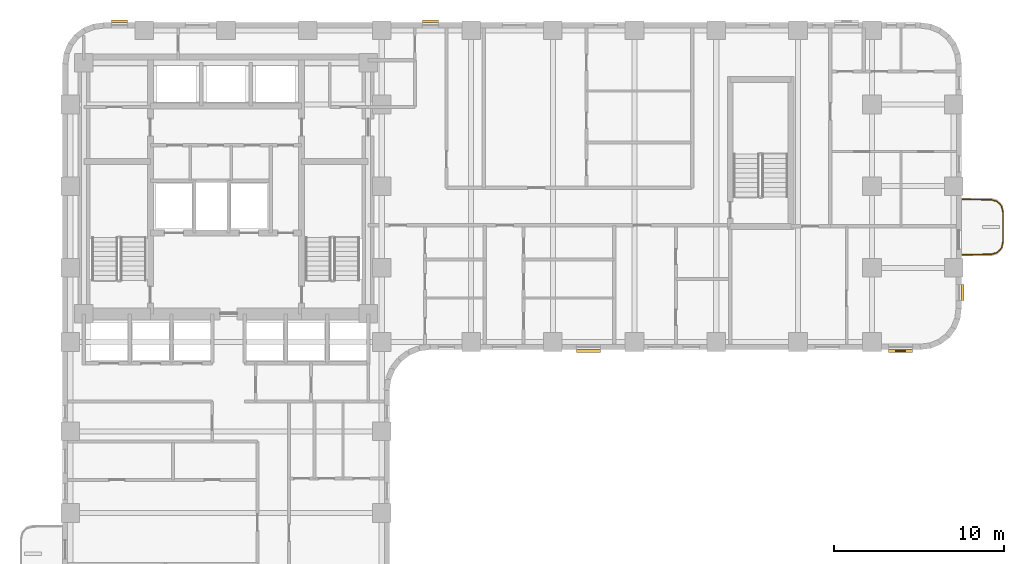
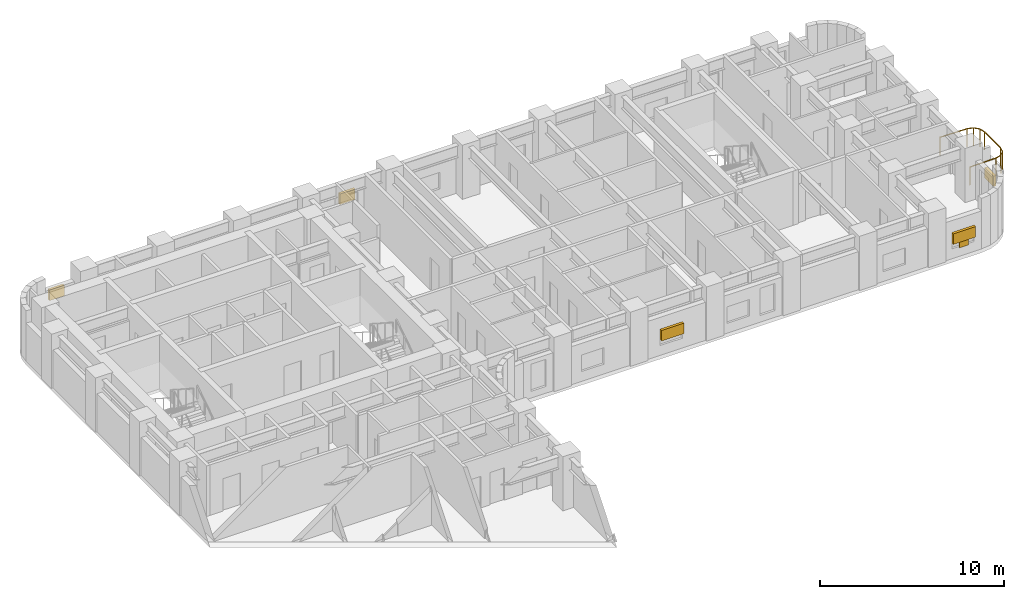
# One storey, part 10 of 11: 6 shading devices, 1 railing.
"""IFC4 building model written with IfcOpenShell, lengths in metres."""

from ifc_helpers import new_model, si_unit, direction, frame, origin, origin_2d, place, context, subcontext, project, spatial, rectangle, extrude, material, type_object, element, save


model = new_model("IFC4")

# Units and contexts
model_context = context("Model", 3, precision=1e-05, world=origin(), true_north=direction((0.0, 1.0)))
body_context = subcontext(model_context, "Body", "Model", "MODEL_VIEW")
ifc_project = project(units=[si_unit("LENGTHUNIT", "METRE"), si_unit("AREAUNIT", "SQUARE_METRE"), si_unit("VOLUMEUNIT", "CUBIC_METRE"), si_unit("PLANEANGLEUNIT", "RADIAN"), si_unit("MASSUNIT", "GRAM", prefix="KILO")], contexts=[model_context])

# Site, building, storey
site_placement = place(None, origin())
site = spatial("IfcSite", under=ifc_project, at=site_placement, CompositionType="ELEMENT")
building_placement = place(site_placement, origin())
building = spatial("IfcBuilding", under=site, at=building_placement, Name="Orvandelia Arch Residences", CompositionType="ELEMENT")
storey_placement = place(building_placement, frame((0.0, 0.0, 50.199951171875)))
storey = spatial("IfcBuildingStorey", under=building, at=storey_placement, Name="L12", CompositionType="ELEMENT", Elevation=50.199951171875)

# Railing
ifc_material_1 = material(Name="Marine-Grade Stainless Steel 316", Category="steel")
railing_type = type_object("IfcRailingType", Name="GRD-BAL-1200", PredefinedType="BALUSTRADE", material=ifc_material_1)
railing_placement = place(storey_placement, frame((57.671875, 34.36962890625, 0.0)))
element("IfcRailing", 1, at=railing_placement, inside=storey, type_object=railing_type, Name="Safety Balustrade Guard GRD-L12-BAL-L12-E1-1", PredefinedType="BALUSTRADE", context=body_context, shape_type="SweptSolid", body=[
    extrude(rectangle(XDim=0.048095703125, YDim=0.048095703125, at=origin_2d()), frame((0.0, 0.0, 1.19580078125), z_axis=(0.999837384468, 0.018033430643, 0.0), x_axis=(-0.018033430643, 0.999837384468, 0.0)), (0.0, 0.0, 1.0), 1.6787109375),
    extrude(rectangle(XDim=0.048095703125, YDim=0.048095703125, at=origin_2d()), frame((1.678466796875, 0.0302734375, 1.19580078125), z_axis=(0.963441293861, 0.267919527627, 0.0), x_axis=(-0.267919527627, 0.963441293861, 0.0)), (0.0, 0.0, 1.0), 0.365478515625),
    extrude(rectangle(XDim=0.048095703125, YDim=0.048095703125, at=origin_2d()), frame((2.030517578125, 0.128173828125, 1.19580078125), z_axis=(0.688296224633, 0.725429739642, 0.0), x_axis=(-0.725429739642, 0.688296224633, 0.0)), (0.0, 0.0, 1.0), 0.3681640625),
    extrude(rectangle(XDim=0.048095703125, YDim=0.048095703125, at=origin_2d()), frame((2.283935546875, 0.395263671875, 1.19580078125), z_axis=(0.221225034864, 0.975222786828, 0.0), x_axis=(-0.975222786828, 0.221225034864, 0.0)), (0.0, 0.0, 1.0), 0.373046875),
    extrude(rectangle(XDim=0.048095703125, YDim=0.048095703125, at=origin_2d()), frame((2.366455078125, 0.759033203125, 1.19580078125), z_axis=(0.0, 1.0, 0.0), x_axis=(-1.0, 0.0, 0.0)), (0.0, 0.0, 1.0), 1.74267578125),
    extrude(rectangle(XDim=0.048095703125, YDim=0.048095703125, at=origin_2d()), frame((2.366455078125, 2.501708984375, 1.19580078125), z_axis=(-0.221225034864, 0.975222786828, 0.0), x_axis=(-0.975222786828, -0.221225034864, 0.0)), (0.0, 0.0, 1.0), 0.373046875),
    extrude(rectangle(XDim=0.048095703125, YDim=0.048095703125, at=origin_2d()), frame((2.283935546875, 2.865478515625, 1.19580078125), z_axis=(-0.688296224633, 0.725429739642, 0.0), x_axis=(-0.725429739642, -0.688296224633, 0.0)), (0.0, 0.0, 1.0), 0.3681640625),
    extrude(rectangle(XDim=0.048095703125, YDim=0.048095703125, at=origin_2d()), frame((2.030517578125, 3.132568359375, 1.19580078125), z_axis=(-0.963441293861, 0.267919527627, 0.0), x_axis=(-0.267919527627, -0.963441293861, 0.0)), (0.0, 0.0, 1.0), 0.365478515625),
    extrude(rectangle(XDim=0.048095703125, YDim=0.048095703125, at=origin_2d()), frame((1.678466796875, 3.23046875, 1.19580078125), z_axis=(-0.999837384468, 0.018033430643, 0.0), x_axis=(-0.018033430643, -0.999837384468, 0.0)), (0.0, 0.0, 1.0), 1.6787109375),
    extrude(rectangle(XDim=0.0419921875, YDim=0.0419921875, at=origin_2d()), origin(), (0.0, 0.0, 1.0), 1.171875),
    extrude(rectangle(XDim=0.0419921875, YDim=0.0419921875, at=origin_2d()), frame((1.678466796875, 0.0302734375, 0.0)), (0.0, 0.0, 1.0), 1.171875),
    extrude(rectangle(XDim=0.0419921875, YDim=0.0419921875, at=origin_2d()), frame((2.030517578125, 0.128173828125, 0.0)), (0.0, 0.0, 1.0), 1.171875),
    extrude(rectangle(XDim=0.0419921875, YDim=0.0419921875, at=origin_2d()), frame((2.283935546875, 0.395263671875, 0.0)), (0.0, 0.0, 1.0), 1.171875),
    extrude(rectangle(XDim=0.0419921875, YDim=0.0419921875, at=origin_2d()), frame((2.366455078125, 0.759033203125, 0.0)), (0.0, 0.0, 1.0), 1.171875),
    extrude(rectangle(XDim=0.0419921875, YDim=0.0419921875, at=origin_2d()), frame((2.366455078125, 2.501708984375, 0.0)), (0.0, 0.0, 1.0), 1.171875),
    extrude(rectangle(XDim=0.0419921875, YDim=0.0419921875, at=origin_2d()), frame((2.283935546875, 2.865478515625, 0.0)), (0.0, 0.0, 1.0), 1.171875),
    extrude(rectangle(XDim=0.0419921875, YDim=0.0419921875, at=origin_2d()), frame((2.030517578125, 3.132568359375, 0.0)), (0.0, 0.0, 1.0), 1.171875),
    extrude(rectangle(XDim=0.0419921875, YDim=0.0419921875, at=origin_2d()), frame((1.678466796875, 3.23046875, 0.0)), (0.0, 0.0, 1.0), 1.171875),
    extrude(rectangle(XDim=0.0419921875, YDim=0.0419921875, at=origin_2d()), frame((0.0, 3.2607421875, 0.0)), (0.0, 0.0, 1.0), 1.171875),
])

# Shading devices
ifc_material_2 = material(Name="Anodised Champagne-Bronze Extruded Aluminium", Category="aluminium")
shading_device_type_1 = type_object("IfcShadingDeviceType", Name="SHD-JALOUSIE-SCREEN", PredefinedType="JALOUSIE", material=ifc_material_2)
for number, where, z_axis, x_axis, name in (
    (2, (26.4150390625, 48.080078125, 1.55029296875), (0.0, 0.0, 1.0), (1.0, 0.0, 0.0), "Bronze Jalousie Sun-Shade L12-001"),
    (3, (8.14501953125, 48.080078125, 1.55029296875), (0.0, 0.0, 1.0), (1.0, 0.0, 0.0), "Bronze Jalousie Sun-Shade L12-002"),
    (4, (57.679931640625, 32.14501953125, 1.55029296875), (0.0, 0.0, 1.0), (0.0, -1.0, 0.0), "Bronze Jalousie Sun-Shade L12-004"),
):
    element("IfcShadingDevice", number, at=place(storey_placement, frame(where, z_axis=z_axis, x_axis=x_axis)), inside=storey, type_object=shading_device_type_1, Name=name, PredefinedType="JALOUSIE", context=body_context, shape_type="SweptSolid", body=[
        extrude(rectangle(XDim=0.949951171875, YDim=0.159912109375, at=origin_2d()), origin(), (0.0, 0.0, 1.0), 0.699951171875),
    ])
for number, where, z_axis, x_axis, name in (
    (5, (35.68505859375, 28.719970703125, 1.05029296875), (0.0, 0.0, 1.0), (-1.0, 0.0, 0.0), "Bronze Jalousie Sun-Shade L12-005"),
    (6, (54.030029296875, 28.719970703125, 1.05029296875), (0.0, 0.0, 1.0), (-1.0, 0.0, 0.0), "Bronze Jalousie Sun-Shade L12-006"),
):
    element("IfcShadingDevice", number, at=place(storey_placement, frame(where, z_axis=z_axis, x_axis=x_axis)), inside=storey, type_object=shading_device_type_1, Name=name, PredefinedType="JALOUSIE", context=body_context, shape_type="SweptSolid", body=[
        extrude(rectangle(XDim=1.39990234375, YDim=0.159912109375, at=origin_2d()), origin(), (0.0, 0.0, 1.0), 0.699951171875),
    ])
ifc_material_3 = material(Name="Marine-Grade Perforated Aluminium Storm Shutter", Category="aluminium")
shading_device_type_2 = type_object("IfcShadingDeviceType", Name="SHD-STORM-SHUTTER", PredefinedType="SHUTTER", material=ifc_material_3)
shading_device_placement = place(storey_placement, frame((54.030029296875, 28.719970703125, 0.64990234375), z_axis=(0.0, 0.0, 1.0), x_axis=(-1.0, 0.0, 0.0)))
element("IfcShadingDevice", 7, at=shading_device_placement, inside=storey, type_object=shading_device_type_2, Name="Operable Typhoon Storm Shutter L12-006", PredefinedType="SHUTTER", context=body_context, shape_type="SweptSolid", body=[
    extrude(rectangle(XDim=0.550048828125, YDim=0.080078125, at=origin_2d()), origin(), (0.0, 0.0, 1.0), 1.10009765625),
])

save(model, "model.ifc")
